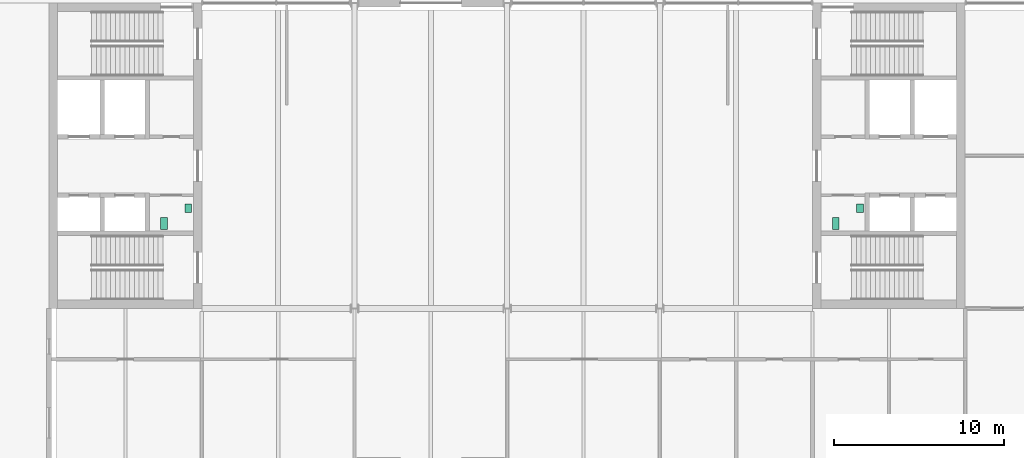
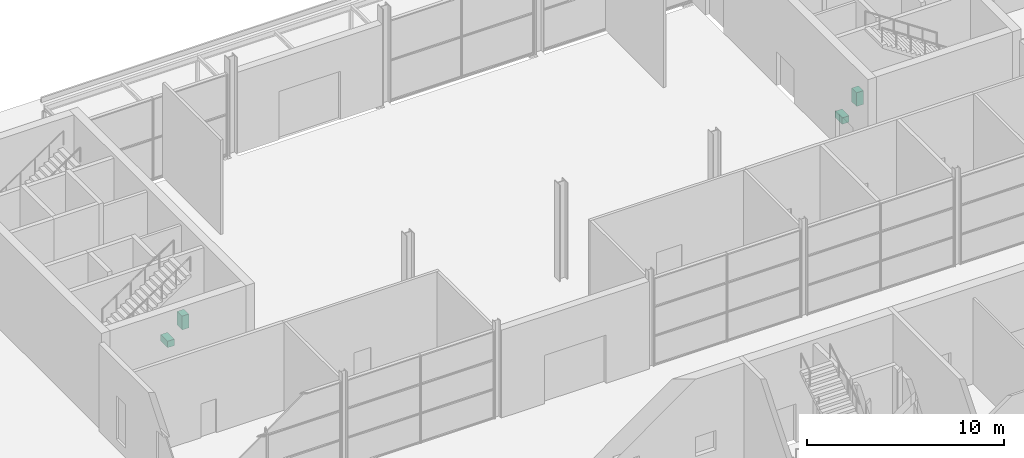
# One storey, part 96 of 97: 4 sanitary terminals.
"""IFC4 building model written with IfcOpenShell, lengths in metres."""

from ifc_helpers import new_model, si_unit, direction, frame, origin, origin_2d, place, context, subcontext, project, spatial, rectangle, extrude, element, save


model = new_model("IFC4")

# Units and contexts
model_context = context("Model", 3, precision=1e-05, world=origin(), true_north=direction((0.0, 1.0)))
body_context = subcontext(model_context, "Body", "Model", "MODEL_VIEW")
ifc_project = project(units=[si_unit("LENGTHUNIT", "METRE"), si_unit("AREAUNIT", "SQUARE_METRE"), si_unit("VOLUMEUNIT", "CUBIC_METRE"), si_unit("PLANEANGLEUNIT", "RADIAN"), si_unit("MASSUNIT", "GRAM", prefix="KILO")], contexts=[model_context])

# Site, building, storey
site_placement = place(None, origin())
site = spatial("IfcSite", under=ifc_project, at=site_placement, CompositionType="ELEMENT")
building_placement = place(site_placement, origin())
building = spatial("IfcBuilding", under=site, at=building_placement, Name="Corbel Yard City Hall", CompositionType="ELEMENT")
storey_placement = place(building_placement, origin())
storey = spatial("IfcBuildingStorey", under=building, at=storey_placement, Name="L00", CompositionType="ELEMENT", Elevation=0.0)

# Sanitary terminals
sanitary_terminal_1_placement = place(storey_placement, frame((46.36669921875, 104.0, 0.0), z_axis=(0.0, 0.0, 1.0), x_axis=(1.0, 0.0, 0.0)))
element("IfcSanitaryTerminal", 1, at=sanitary_terminal_1_placement, inside=storey, Name="Water closet", PredefinedType="TOILETPAN", context=body_context, shape_type="SweptSolid", body=[
    extrude(rectangle(XDim=0.39990234375, YDim=0.699951171875, at=origin_2d()), origin(), (0.0, 0.0, 1.0), 0.39990234375),
])
sanitary_terminal_2_placement = place(storey_placement, frame((47.800048828125, 104.89990234375, 0.0), z_axis=(0.0, 0.0, 1.0), x_axis=(1.0, 0.0, 0.0)))
element("IfcSanitaryTerminal", 2, at=sanitary_terminal_2_placement, inside=storey, Name="Wash basin", PredefinedType="WASHHANDBASIN", context=body_context, shape_type="SweptSolid", body=[
    extrude(rectangle(XDim=0.39990234375, YDim=0.5, at=origin_2d()), origin(), (0.0, 0.0, 1.0), 0.85009765625),
])
sanitary_terminal_3_placement = place(storey_placement, frame((6.7666015625, 104.0, 0.0), z_axis=(0.0, 0.0, 1.0), x_axis=(1.0, 0.0, 0.0)))
element("IfcSanitaryTerminal", 3, at=sanitary_terminal_3_placement, inside=storey, Name="Water closet", PredefinedType="TOILETPAN", context=body_context, shape_type="SweptSolid", body=[
    extrude(rectangle(XDim=0.39990234375, YDim=0.699951171875, at=origin_2d()), origin(), (0.0, 0.0, 1.0), 0.39990234375),
])
sanitary_terminal_4_placement = place(storey_placement, frame((8.199951171875, 104.89990234375, 0.0), z_axis=(0.0, 0.0, 1.0), x_axis=(1.0, 0.0, 0.0)))
element("IfcSanitaryTerminal", 4, at=sanitary_terminal_4_placement, inside=storey, Name="Wash basin", PredefinedType="WASHHANDBASIN", context=body_context, shape_type="SweptSolid", body=[
    extrude(rectangle(XDim=0.39990234375, YDim=0.5, at=origin_2d()), origin(), (0.0, 0.0, 1.0), 0.85009765625),
])

save(model, "model.ifc")
